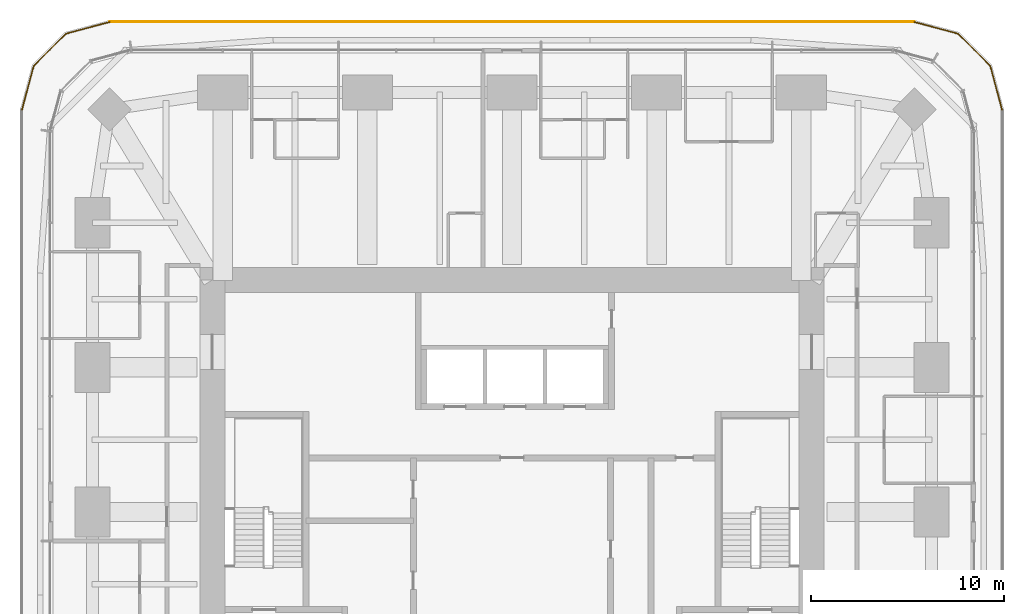
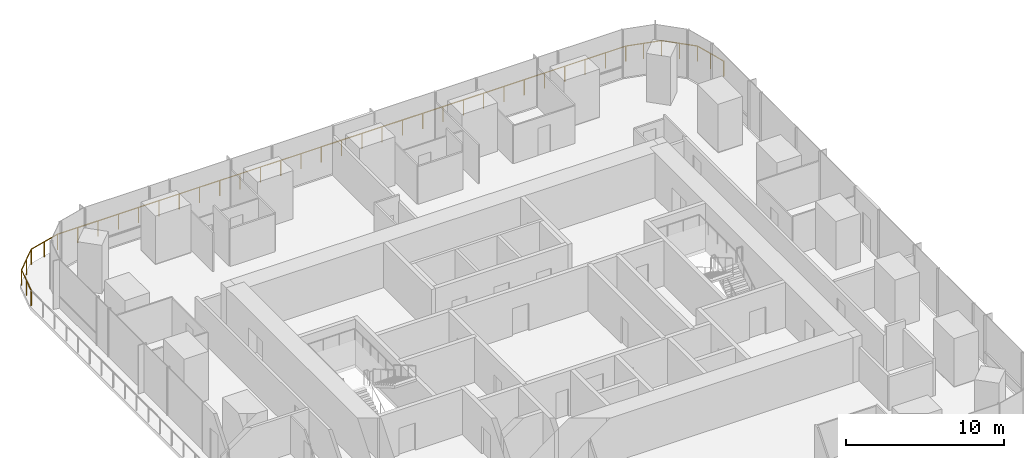
# One storey, part 15 of 15: 3 railings.
"""IFC4 building model written with IfcOpenShell, lengths in metres."""

from ifc_helpers import new_model, si_unit, direction, frame, origin, origin_2d, place, context, subcontext, project, spatial, circle, extrude, material, type_object, element, save


model = new_model("IFC4")

# Units and contexts
model_context = context("Model", 3, precision=1e-05, world=origin(), true_north=direction((0.0, 1.0)))
body_context = subcontext(model_context, "Body", "Model", "MODEL_VIEW")
ifc_project = project(units=[si_unit("LENGTHUNIT", "METRE"), si_unit("AREAUNIT", "SQUARE_METRE"), si_unit("VOLUMEUNIT", "CUBIC_METRE"), si_unit("PLANEANGLEUNIT", "RADIAN"), si_unit("MASSUNIT", "GRAM", prefix="KILO")], contexts=[model_context])

# Site, building, storey
site_placement = place(None, origin())
site = spatial("IfcSite", under=ifc_project, at=site_placement, CompositionType="ELEMENT")
building_placement = place(site_placement, origin())
building = spatial("IfcBuilding", under=site, at=building_placement, Name="Khuree Lantern Residences", CompositionType="ELEMENT")
storey_placement = place(building_placement, frame((0.0, 0.0, 285.75)))
storey = spatial("IfcBuildingStorey", under=building, at=storey_placement, Name="L71", CompositionType="ELEMENT", Elevation=285.75)

# Railings
ifc_material = material(Name="Toughened laminated glass balustrade with bronze anodised aluminium top rail", Category="aluminium")
railing_type = type_object("IfcRailingType", Name="TERRACE GUARD G1 1200", PredefinedType="GUARDRAIL", material=ifc_material)
railing_1_placement = place(storey_placement, frame((25.35009765625, 20.800048828125, 0.0)))
element("IfcRailing", 1, at=railing_1_placement, inside=storey, type_object=railing_type, Name="L71 NORTH-EAST CORNER TERRACE GUARD", PredefinedType="GUARDRAIL", context=body_context, shape_type="SweptSolid", body=[
    extrude(circle(Radius=0.02392578125, at=origin_2d()), frame((0.0, 0.0, 1.17626953125), z_axis=(-0.258843168814, 0.965919362037, 0.0), x_axis=(-0.965919362037, -0.258843168814, 0.0)), (0.0, 0.0, 1.0), 2.355224609375),
    extrude(circle(Radius=0.02392578125, at=origin_2d()), frame((-0.609619140625, 2.27490234375, 1.17626953125), z_axis=(-0.707106781187, 0.707106781187, 0.0), x_axis=(-0.707106781187, -0.707106781187, 0.0)), (0.0, 0.0, 1.0), 2.35546875),
    extrude(circle(Radius=0.02392578125, at=origin_2d()), frame((-2.275146484375, 3.9404296875, 1.17626953125), z_axis=(-0.965919362037, 0.258843168814, 0.0), x_axis=(-0.258843168814, -0.965919362037, 0.0)), (0.0, 0.0, 1.0), 2.355224609375),
    extrude(circle(Radius=0.02099609375, at=origin_2d()), origin(), (0.0, 0.0, 1.0), 1.152099609375),
    extrude(circle(Radius=0.02099609375, at=origin_2d()), frame((-0.3046875, 1.137451171875, 0.0)), (0.0, 0.0, 1.0), 1.152099609375),
    extrude(circle(Radius=0.02099609375, at=origin_2d()), frame((-0.609619140625, 2.27490234375, 0.0)), (0.0, 0.0, 1.0), 1.152099609375),
    extrude(circle(Radius=0.02099609375, at=origin_2d()), frame((-1.4423828125, 3.107666015625, 0.0)), (0.0, 0.0, 1.0), 1.152099609375),
    extrude(circle(Radius=0.02099609375, at=origin_2d()), frame((-2.275146484375, 3.9404296875, 0.0)), (0.0, 0.0, 1.0), 1.152099609375),
    extrude(circle(Radius=0.02099609375, at=origin_2d()), frame((-3.41259765625, 4.2451171875, 0.0)), (0.0, 0.0, 1.0), 1.152099609375),
    extrude(circle(Radius=0.02099609375, at=origin_2d()), frame((-4.550048828125, 4.550048828125, 0.0)), (0.0, 0.0, 1.0), 1.152099609375),
])
railing_2_placement = place(storey_placement, frame((20.800048828125, 25.35009765625, 0.0)))
element("IfcRailing", 2, at=railing_2_placement, inside=storey, type_object=railing_type, Name="L71 NORTH FACE TERRACE GUARD", PredefinedType="GUARDRAIL", context=body_context, shape_type="SweptSolid", body=[
    extrude(circle(Radius=0.02392578125, at=origin_2d()), frame((0.0, 0.0, 1.17626953125), z_axis=(-1.0, 0.0, 0.0), x_axis=(0.0, -1.0, 0.0)), (0.0, 0.0, 1.0), 41.60009765625),
    extrude(circle(Radius=0.02099609375, at=origin_2d()), origin(), (0.0, 0.0, 1.0), 1.152099609375),
    extrude(circle(Radius=0.02099609375, at=origin_2d()), frame((-1.48583984375, 0.0, 0.0)), (0.0, 0.0, 1.0), 1.152099609375),
    extrude(circle(Radius=0.02099609375, at=origin_2d()), frame((-2.971435546875, 0.0, 0.0)), (0.0, 0.0, 1.0), 1.152099609375),
    extrude(circle(Radius=0.02099609375, at=origin_2d()), frame((-4.45703125, 0.0, 0.0)), (0.0, 0.0, 1.0), 1.152099609375),
    extrude(circle(Radius=0.02099609375, at=origin_2d()), frame((-5.94287109375, 0.0, 0.0)), (0.0, 0.0, 1.0), 1.152099609375),
    extrude(circle(Radius=0.02099609375, at=origin_2d()), frame((-7.4287109375, 0.0, 0.0)), (0.0, 0.0, 1.0), 1.152099609375),
    extrude(circle(Radius=0.02099609375, at=origin_2d()), frame((-8.914306640625, 0.0, 0.0)), (0.0, 0.0, 1.0), 1.152099609375),
    extrude(circle(Radius=0.02099609375, at=origin_2d()), frame((-10.39990234375, 0.0, 0.0)), (0.0, 0.0, 1.0), 1.152099609375),
    extrude(circle(Radius=0.02099609375, at=origin_2d()), frame((-11.8857421875, 0.0, 0.0)), (0.0, 0.0, 1.0), 1.152099609375),
    extrude(circle(Radius=0.02099609375, at=origin_2d()), frame((-13.37158203125, 0.0, 0.0)), (0.0, 0.0, 1.0), 1.152099609375),
    extrude(circle(Radius=0.02099609375, at=origin_2d()), frame((-14.857177734375, 0.0, 0.0)), (0.0, 0.0, 1.0), 1.152099609375),
    extrude(circle(Radius=0.02099609375, at=origin_2d()), frame((-16.3427734375, 0.0, 0.0)), (0.0, 0.0, 1.0), 1.152099609375),
    extrude(circle(Radius=0.02099609375, at=origin_2d()), frame((-17.82861328125, 0.0, 0.0)), (0.0, 0.0, 1.0), 1.152099609375),
    extrude(circle(Radius=0.02099609375, at=origin_2d()), frame((-19.314453125, 0.0, 0.0)), (0.0, 0.0, 1.0), 1.152099609375),
    extrude(circle(Radius=0.02099609375, at=origin_2d()), frame((-20.800048828125, 0.0, 0.0)), (0.0, 0.0, 1.0), 1.152099609375),
    extrude(circle(Radius=0.02099609375, at=origin_2d()), frame((-22.28564453125, 0.0, 0.0)), (0.0, 0.0, 1.0), 1.152099609375),
    extrude(circle(Radius=0.02099609375, at=origin_2d()), frame((-23.771484375, 0.0, 0.0)), (0.0, 0.0, 1.0), 1.152099609375),
    extrude(circle(Radius=0.02099609375, at=origin_2d()), frame((-25.257080078125, 0.0, 0.0)), (0.0, 0.0, 1.0), 1.152099609375),
    extrude(circle(Radius=0.02099609375, at=origin_2d()), frame((-26.742919921875, 0.0, 0.0)), (0.0, 0.0, 1.0), 1.152099609375),
    extrude(circle(Radius=0.02099609375, at=origin_2d()), frame((-28.228515625, 0.0, 0.0)), (0.0, 0.0, 1.0), 1.152099609375),
    extrude(circle(Radius=0.02099609375, at=origin_2d()), frame((-29.71435546875, 0.0, 0.0)), (0.0, 0.0, 1.0), 1.152099609375),
    extrude(circle(Radius=0.02099609375, at=origin_2d()), frame((-31.2001953125, 0.0, 0.0)), (0.0, 0.0, 1.0), 1.152099609375),
    extrude(circle(Radius=0.02099609375, at=origin_2d()), frame((-32.685791015625, 0.0, 0.0)), (0.0, 0.0, 1.0), 1.152099609375),
    extrude(circle(Radius=0.02099609375, at=origin_2d()), frame((-34.17138671875, 0.0, 0.0)), (0.0, 0.0, 1.0), 1.152099609375),
    extrude(circle(Radius=0.02099609375, at=origin_2d()), frame((-35.6572265625, 0.0, 0.0)), (0.0, 0.0, 1.0), 1.152099609375),
    extrude(circle(Radius=0.02099609375, at=origin_2d()), frame((-37.14306640625, 0.0, 0.0)), (0.0, 0.0, 1.0), 1.152099609375),
    extrude(circle(Radius=0.02099609375, at=origin_2d()), frame((-38.628662109375, 0.0, 0.0)), (0.0, 0.0, 1.0), 1.152099609375),
    extrude(circle(Radius=0.02099609375, at=origin_2d()), frame((-40.1142578125, 0.0, 0.0)), (0.0, 0.0, 1.0), 1.152099609375),
    extrude(circle(Radius=0.02099609375, at=origin_2d()), frame((-41.60009765625, 0.0, 0.0)), (0.0, 0.0, 1.0), 1.152099609375),
])
railing_3_placement = place(storey_placement, frame((-20.800048828125, 25.35009765625, 0.0)))
element("IfcRailing", 3, at=railing_3_placement, inside=storey, type_object=railing_type, Name="L71 NORTH-WEST CORNER TERRACE GUARD", PredefinedType="GUARDRAIL", context=body_context, shape_type="SweptSolid", body=[
    extrude(circle(Radius=0.02392578125, at=origin_2d()), frame((0.0, 0.0, 1.17626953125), z_axis=(-0.965919362037, -0.258843168814, 0.0), x_axis=(0.258843168814, -0.965919362037, 0.0)), (0.0, 0.0, 1.0), 2.355224609375),
    extrude(circle(Radius=0.02392578125, at=origin_2d()), frame((-2.27490234375, -0.609619140625, 1.17626953125), z_axis=(-0.707106781187, -0.707106781187, 0.0), x_axis=(0.707106781187, -0.707106781187, 0.0)), (0.0, 0.0, 1.0), 2.35546875),
    extrude(circle(Radius=0.02392578125, at=origin_2d()), frame((-3.9404296875, -2.275146484375, 1.17626953125), z_axis=(-0.258843168814, -0.965919362037, 0.0), x_axis=(0.965919362037, -0.258843168814, 0.0)), (0.0, 0.0, 1.0), 2.355224609375),
    extrude(circle(Radius=0.02099609375, at=origin_2d()), origin(), (0.0, 0.0, 1.0), 1.152099609375),
    extrude(circle(Radius=0.02099609375, at=origin_2d()), frame((-1.137451171875, -0.3046875, 0.0)), (0.0, 0.0, 1.0), 1.152099609375),
    extrude(circle(Radius=0.02099609375, at=origin_2d()), frame((-2.27490234375, -0.609619140625, 0.0)), (0.0, 0.0, 1.0), 1.152099609375),
    extrude(circle(Radius=0.02099609375, at=origin_2d()), frame((-3.107666015625, -1.4423828125, 0.0)), (0.0, 0.0, 1.0), 1.152099609375),
    extrude(circle(Radius=0.02099609375, at=origin_2d()), frame((-3.9404296875, -2.275146484375, 0.0)), (0.0, 0.0, 1.0), 1.152099609375),
    extrude(circle(Radius=0.02099609375, at=origin_2d()), frame((-4.2451171875, -3.41259765625, 0.0)), (0.0, 0.0, 1.0), 1.152099609375),
    extrude(circle(Radius=0.02099609375, at=origin_2d()), frame((-4.550048828125, -4.550048828125, 0.0)), (0.0, 0.0, 1.0), 1.152099609375),
])

save(model, "model.ifc")
